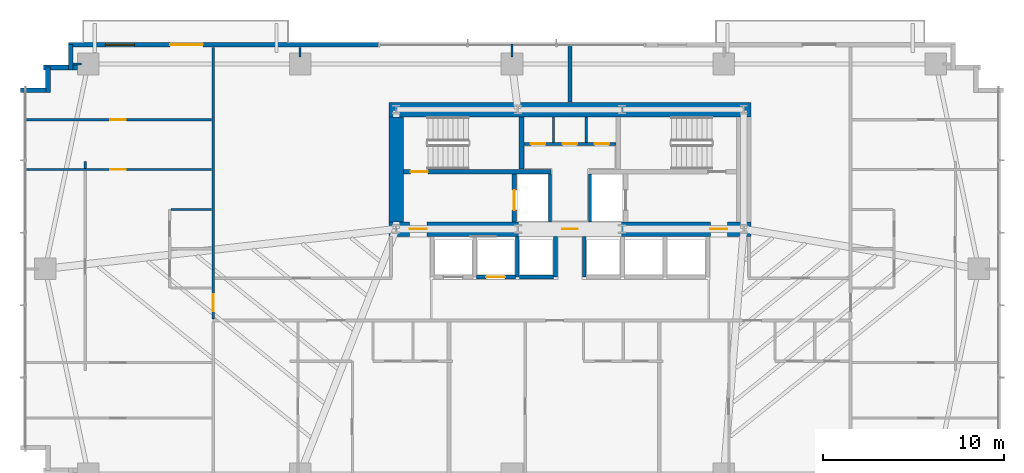
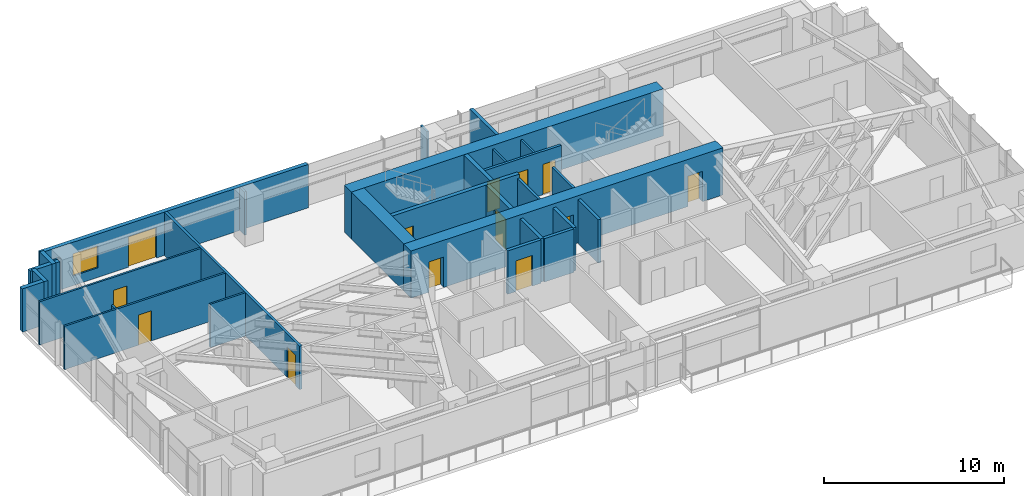
# One storey, part 20 of 25: 30 walls, 13 doors, 1 window, 14 openings.
"""IFC4 building model written with IfcOpenShell, lengths in metres."""

from ifc_helpers import new_model, si_unit, direction, frame, frame_2d, origin, place, context, subcontext, project, spatial, rectangle, extrude, source, transform, mapped, material, layer, layer_set, type_object, type_shapes, element, fill, save


model = new_model("IFC4")

# Units and contexts
model_context = context("Model", 3, precision=1e-05, world=origin(), true_north=direction((0.0, 1.0)))
body_context = subcontext(model_context, "Body", "Model", "MODEL_VIEW")
ifc_project = project(units=[si_unit("LENGTHUNIT", "METRE"), si_unit("AREAUNIT", "SQUARE_METRE"), si_unit("VOLUMEUNIT", "CUBIC_METRE"), si_unit("PLANEANGLEUNIT", "RADIAN"), si_unit("MASSUNIT", "GRAM", prefix="KILO")], contexts=[model_context])

# Site, building, storey
site_placement = place(None, origin())
site = spatial("IfcSite", under=ifc_project, at=site_placement, CompositionType="ELEMENT")
building_placement = place(site_placement, origin())
building = spatial("IfcBuilding", under=site, at=building_placement, Name="Astriad Promenade Condominiums", CompositionType="ELEMENT")
storey_placement = place(building_placement, frame((0.0, 0.0, 55.0)))
storey = spatial("IfcBuildingStorey", under=building, at=storey_placement, Name="L15", CompositionType="ELEMENT", Elevation=55.0)

# Wall, openings, doors
ifc_material_1 = material(Name="Concrete C80/95", Category="concrete")
ifc_layer_1 = layer(ifc_material_1, 0.800048828125)
ifc_layer_set_1 = layer_set([ifc_layer_1], Name="Concrete C80/95")
wall_type_1 = type_object("IfcWallType", Name="CW-SHEAR-800", PredefinedType="SHEAR", material=ifc_layer_set_1)
wall_1_placement = place(storey_placement, frame((26.0, 17.39990234375, 0.0), z_axis=(0.0, 0.0, 1.0), x_axis=(1.0, 0.0, 0.0)))
wall_1 = element("IfcWall", 1, at=wall_1_placement, inside=storey, type_object=wall_type_1, Name="CW-CORE-S-L15", PredefinedType="SHEAR", context=body_context, shape_type="SweptSolid", body=[
    extrude(rectangle(XDim=20.0, YDim=0.800048828125, at=frame_2d((10.0, 0.0))), origin(), (0.0, 0.0, 1.0), 3.199951171875),
])
opening_1_placement = place(wall_1_placement, frame((1.14990234375, 0.0, 0.0)))
opening_1 = element("IfcOpeningElement", 2, at=opening_1_placement, cuts=wall_1, Name="Opening FD90-ST-095", PredefinedType="OPENING", context=body_context, shape_type="SweptSolid", body=[
    extrude(rectangle(XDim=0.949951171875, YDim=2.06005859375, at=frame_2d((0.47509765625, 1.030029296875))), frame((0.0, 0.409912109375, 0.0), z_axis=(0.0, -1.0, 0.0), x_axis=(1.0, 0.0, 0.0)), (0.0, 0.0, 1.0), 0.820068359375),
])
opening_2_placement = place(wall_1_placement, frame((9.580078125, 0.0, 0.0)))
opening_2 = element("IfcOpeningElement", 3, at=opening_2_placement, cuts=wall_1, Name="Opening FD60-ULOW-085", PredefinedType="OPENING", context=body_context, shape_type="SweptSolid", body=[
    extrude(rectangle(XDim=0.85009765625, YDim=2.0, at=frame_2d((0.425048828125, 1.0))), frame((0.0, 0.409912109375, 0.0), z_axis=(0.0, -1.0, 0.0), x_axis=(1.0, 0.0, 0.0)), (0.0, 0.0, 1.0), 0.820068359375),
])
opening_3_placement = place(wall_1_placement, frame((17.75, 0.0, 0.0)))
opening_3 = element("IfcOpeningElement", 4, at=opening_3_placement, cuts=wall_1, Name="Opening FD90-ST-095", PredefinedType="OPENING", context=body_context, shape_type="SweptSolid", body=[
    extrude(rectangle(XDim=0.949951171875, YDim=2.06005859375, at=frame_2d((0.47509765625, 1.030029296875))), frame((0.0, 0.409912109375, 0.0), z_axis=(0.0, -1.0, 0.0), x_axis=(1.0, 0.0, 0.0)), (0.0, 0.0, 1.0), 0.820068359375),
])
ifc_material_2 = material(Name="Fire-Rated Hollow Metal Stair Door")
door_type_1 = type_object("IfcDoorType", Name="FD90-ST-095", OperationType="NOTDEFINED", PredefinedType="DOOR", material=ifc_material_2)
shared_shape_1 = source(origin(), body_context, "Body", "SweptSolid", [
    extrude(rectangle(XDim=0.949951171875, YDim=2.06005859375, at=frame_2d((0.47509765625, 1.030029296875))), frame((0.0, 0.02490234375, 0.0), z_axis=(0.0, -1.0, 0.0), x_axis=(1.0, 0.0, 0.0)), (0.0, 0.0, 1.0), 0.050048828125),
])
type_shapes(door_type_1, [shared_shape_1])
door_1_placement = place(opening_1_placement, origin())
door_1 = element("IfcDoor", 5, at=door_1_placement, inside=storey, type_object=door_type_1, Name="D-FFW-L15", OperationType="SINGLE_SWING_LEFT", OverallHeight=2.06005859375, OverallWidth=0.949951171875, PredefinedType="DOOR", context=body_context, shape_type="MappedRepresentation", body=[
    mapped(shared_shape_1, transform((0.0, 0.0, 0.0), scale=1.0)),
])
fill(opening_1, door_1)
door_2_placement = place(opening_3_placement, origin())
door_2 = element("IfcDoor", 6, at=door_2_placement, inside=storey, type_object=door_type_1, Name="D-FFE-L15", OperationType="SINGLE_SWING_RIGHT", OverallHeight=2.06005859375, OverallWidth=0.949951171875, PredefinedType="DOOR", context=body_context, shape_type="MappedRepresentation", body=[
    mapped(shared_shape_1, transform((0.0, 0.0, 0.0), scale=1.0)),
])
fill(opening_3, door_2)
ifc_material_3 = material(Name="Solid-Core Low-Headroom Fire Door")
door_type_2 = type_object("IfcDoorType", Name="FD60-ULOW-085", OperationType="NOTDEFINED", PredefinedType="DOOR", material=ifc_material_3)
shared_shape_2 = source(origin(), body_context, "Body", "SweptSolid", [
    extrude(rectangle(XDim=0.85009765625, YDim=2.0, at=frame_2d((0.425048828125, 1.0))), frame((0.0, 0.02490234375, 0.0), z_axis=(0.0, -1.0, 0.0), x_axis=(1.0, 0.0, 0.0)), (0.0, 0.0, 1.0), 0.050048828125),
])
type_shapes(door_type_2, [shared_shape_2])
door_3_placement = place(opening_2_placement, origin())
door_3 = element("IfcDoor", 7, at=door_3_placement, inside=storey, type_object=door_type_2, Name="D-CSL-L15", OperationType="SINGLE_SWING_RIGHT", OverallHeight=2.0, OverallWidth=0.85009765625, PredefinedType="DOOR", context=body_context, shape_type="MappedRepresentation", body=[
    mapped(shared_shape_2, transform((0.0, 0.0, 0.0), scale=1.0)),
])
fill(opening_2, door_3)

# Walls
wall_2_placement = place(storey_placement, frame((26.0, 24.0, 0.0), z_axis=(0.0, 0.0, 1.0), x_axis=(1.0, 0.0, 0.0)))
element("IfcWall", 8, at=wall_2_placement, inside=storey, type_object=wall_type_1, Name="CW-CORE-N-L15", PredefinedType="SHEAR", context=body_context, shape_type="SweptSolid", body=[
    extrude(rectangle(XDim=20.0, YDim=0.800048828125, at=frame_2d((10.0, 0.0))), origin(), (0.0, 0.0, 1.0), 3.199951171875),
])
wall_3_placement = place(storey_placement, frame((26.39990234375, 17.802001953125, 0.0), z_axis=(0.0, 0.0, 1.0), x_axis=(0.0, 1.0, 0.0)))
element("IfcWall", 9, at=wall_3_placement, inside=storey, type_object=wall_type_1, Name="CW-CORE-W-L15", PredefinedType="SHEAR", context=body_context, shape_type="SweptSolid", body=[
    extrude(rectangle(XDim=5.7958984375, YDim=0.800048828125, at=frame_2d((2.89794921875, 0.0))), origin(), (0.0, 0.0, 1.0), 3.199951171875),
])

# Wall, opening, door
ifc_material_4 = material(Name="Concrete C50/60", Category="concrete")
ifc_layer_2 = layer(ifc_material_4, 0.25)
ifc_layer_set_2 = layer_set([ifc_layer_2], Name="Concrete C50/60")
wall_type_2 = type_object("IfcWallType", Name="WALL-CORE-INT-250", PredefinedType="SOLIDWALL", material=ifc_layer_set_2)
wall_4_placement = place(storey_placement, frame((26.802001953125, 20.574951171875, 0.0), z_axis=(0.0, 0.0, 1.0), x_axis=(1.0, 0.0, 0.0)))
wall_4 = element("IfcWall", 10, at=wall_4_placement, inside=storey, type_object=wall_type_2, Name="CW-INT-H1-L15", PredefinedType="SOLIDWALL", context=body_context, shape_type="SweptSolid", body=[
    extrude(rectangle(XDim=8.14794921875, YDim=0.25, at=frame_2d((4.073974609375, 0.0))), origin(), (0.0, 0.0, 1.0), 3.199951171875),
])
opening_4_placement = place(wall_4_placement, frame((0.39794921875, 0.0, 0.0)))
opening_4 = element("IfcOpeningElement", 11, at=opening_4_placement, cuts=wall_4, Name="Opening FD90-ST-095", PredefinedType="OPENING", context=body_context, shape_type="SweptSolid", body=[
    extrude(rectangle(XDim=0.949951171875, YDim=2.06005859375, at=frame_2d((0.47509765625, 1.030029296875))), frame((0.0, 0.135009765625, 0.0), z_axis=(0.0, -1.0, 0.0), x_axis=(1.0, 0.0, 0.0)), (0.0, 0.0, 1.0), 0.27001953125),
])
door_4_placement = place(opening_4_placement, origin())
door_4 = element("IfcDoor", 12, at=door_4_placement, inside=storey, type_object=door_type_1, Name="D-ST1-L15", OperationType="SINGLE_SWING_LEFT", OverallHeight=2.06005859375, OverallWidth=0.949951171875, PredefinedType="DOOR", context=body_context, shape_type="MappedRepresentation", body=[
    mapped(shared_shape_1, transform((0.0, 0.0, 0.0), scale=1.0)),
])
fill(opening_4, door_4)

# Wall
wall_5_placement = place(storey_placement, frame((33.324951171875, 20.701904296875, 0.0), z_axis=(0.0, 0.0, 1.0), x_axis=(0.0, 1.0, 0.0)))
element("IfcWall", 13, at=wall_5_placement, inside=storey, type_object=wall_type_2, Name="CW-ST1-E-L15", PredefinedType="SOLIDWALL", context=body_context, shape_type="SweptSolid", body=[
    extrude(rectangle(XDim=2.89599609375, YDim=0.25, at=frame_2d((1.447998046875, 0.0))), origin(), (0.0, 0.0, 1.0), 3.199951171875),
])

# Wall, opening, door
wall_6_placement = place(storey_placement, frame((32.925048828125, 17.802001953125, 0.0), z_axis=(0.0, 0.0, 1.0), x_axis=(0.0, 1.0, 0.0)))
wall_6 = element("IfcWall", 14, at=wall_6_placement, inside=storey, type_object=wall_type_2, Name="CW-FFL1-W-L15", PredefinedType="SOLIDWALL", context=body_context, shape_type="SweptSolid", body=[
    extrude(rectangle(XDim=2.64599609375, YDim=0.25, at=frame_2d((1.322998046875, 0.0))), origin(), (0.0, 0.0, 1.0), 3.199951171875),
])
opening_5_placement = place(wall_6_placement, frame((0.64794921875, 0.0, 0.0)))
opening_5 = element("IfcOpeningElement", 15, at=opening_5_placement, cuts=wall_6, Name="Opening LD-FFL-1122", PredefinedType="OPENING", context=body_context, shape_type="SweptSolid", body=[
    extrude(rectangle(XDim=1.10009765625, YDim=2.080078125, at=frame_2d((0.550048828125, 1.0400390625))), frame((0.0, 0.135009765625, 0.0), z_axis=(0.0, -1.0, 0.0), x_axis=(1.0, 0.0, 0.0)), (0.0, 0.0, 1.0), 0.27001953125),
])
ifc_material_5 = material(Name="Brushed Stainless Steel Fire Elevator Landing Door", Category="steel")
door_type_3 = type_object("IfcDoorType", Name="LD-FFL-1122", OperationType="NOTDEFINED", PredefinedType="DOOR", material=ifc_material_5)
shared_shape_3 = source(origin(), body_context, "Body", "SweptSolid", [
    extrude(rectangle(XDim=1.10009765625, YDim=2.080078125, at=frame_2d((0.550048828125, 1.0400390625))), frame((0.0, 0.02490234375, 0.0), z_axis=(0.0, -1.0, 0.0), x_axis=(1.0, 0.0, 0.0)), (0.0, 0.0, 1.0), 0.050048828125),
])
type_shapes(door_type_3, [shared_shape_3])
door_5_placement = place(opening_5_placement, origin())
door_5 = element("IfcDoor", 16, at=door_5_placement, inside=storey, type_object=door_type_3, Name="Elevator Landing Door FFL-1 (L15)", OperationType="SLIDING_TO_LEFT", OverallHeight=2.080078125, OverallWidth=1.10009765625, PredefinedType="DOOR", context=body_context, shape_type="MappedRepresentation", body=[
    mapped(shared_shape_3, transform((0.0, 0.0, 0.0), scale=1.0)),
])
fill(opening_5, door_5)

# Walls
ifc_material_6 = material(Name="Fire-Rated Gypsum Partition")
ifc_layer_3 = layer(ifc_material_6, 0.159912109375)
ifc_layer_set_3 = layer_set([ifc_layer_3], Name="Fire-Rated Gypsum Partition")
wall_type_3 = type_object("IfcWallType", Name="WALL-CORR-160", PredefinedType="PARTITIONING", material=ifc_layer_set_3)
for number, where, z_axis, x_axis, name in (
    (17, (34.89990234375, 17.802001953125, 0.0), (0.0, 0.0, 1.0), (0.0, 1.0, 0.0), "CW-FFL1-E-L15"),
    (18, (37.10009765625, 17.802001953125, 0.0), (0.0, 0.0, 1.0), (0.0, 1.0, 0.0), "CW-FFL2-W-L15"),
):
    element("IfcWall", number, at=place(storey_placement, frame(where, z_axis=z_axis, x_axis=x_axis)), inside=storey, type_object=wall_type_3, Name=name, PredefinedType="PARTITIONING", context=body_context, shape_type="SweptSolid", body=[
        extrude(rectangle(XDim=2.64599609375, YDim=0.159912109375, at=frame_2d((1.322998046875, 0.0))), origin(), (0.0, 0.0, 1.0), 2.93994140625),
    ])

# Wall, openings, doors
wall_7_placement = place(storey_placement, frame((33.451904296875, 22.10009765625, 0.0), z_axis=(0.0, 0.0, 1.0), x_axis=(1.0, 0.0, 0.0)))
wall_7 = element("IfcWall", 19, at=wall_7_placement, inside=storey, type_object=wall_type_3, Name="CW-AUX-N-L15", PredefinedType="PARTITIONING", context=body_context, shape_type="SweptSolid", body=[
    extrude(rectangle(XDim=5.09619140625, YDim=0.159912109375, at=frame_2d((2.548095703125, 0.0))), origin(), (0.0, 0.0, 1.0), 2.93994140625),
])
opening_6_placement = place(wall_7_placement, frame((0.387939453125, 0.0, 0.0)))
opening_6 = element("IfcOpeningElement", 20, at=opening_6_placement, cuts=wall_7, Name="Opening FD60-SV-080", PredefinedType="OPENING", context=body_context, shape_type="SweptSolid", body=[
    extrude(rectangle(XDim=0.800048828125, YDim=2.050048828125, at=frame_2d((0.39990234375, 1.02490234375))), frame((0.0, 0.08984375, 0.0), z_axis=(0.0, -1.0, 0.0), x_axis=(1.0, 0.0, 0.0)), (0.0, 0.0, 1.0), 0.179931640625),
])
opening_7_placement = place(wall_7_placement, frame((2.14794921875, 0.0, 0.0)))
opening_7 = element("IfcOpeningElement", 21, at=opening_7_placement, cuts=wall_7, Name="Opening FD60-SV-080", PredefinedType="OPENING", context=body_context, shape_type="SweptSolid", body=[
    extrude(rectangle(XDim=0.800048828125, YDim=2.050048828125, at=frame_2d((0.39990234375, 1.02490234375))), frame((0.0, 0.08984375, 0.0), z_axis=(0.0, -1.0, 0.0), x_axis=(1.0, 0.0, 0.0)), (0.0, 0.0, 1.0), 0.179931640625),
])
opening_8_placement = place(wall_7_placement, frame((3.907958984375, 0.0, 0.0)))
opening_8 = element("IfcOpeningElement", 22, at=opening_8_placement, cuts=wall_7, Name="Opening FD60-SV-080", PredefinedType="OPENING", context=body_context, shape_type="SweptSolid", body=[
    extrude(rectangle(XDim=0.800048828125, YDim=2.050048828125, at=frame_2d((0.39990234375, 1.02490234375))), frame((0.0, 0.08984375, 0.0), z_axis=(0.0, -1.0, 0.0), x_axis=(1.0, 0.0, 0.0)), (0.0, 0.0, 1.0), 0.179931640625),
])
ifc_material_7 = material(Name="Fire-Rated Riser Closet Door")
door_type_4 = type_object("IfcDoorType", Name="FD60-SV-080", OperationType="NOTDEFINED", PredefinedType="DOOR", material=ifc_material_7)
shared_shape_4 = source(origin(), body_context, "Body", "SweptSolid", [
    extrude(rectangle(XDim=0.800048828125, YDim=2.050048828125, at=frame_2d((0.39990234375, 1.02490234375))), frame((0.0, 0.02490234375, 0.0), z_axis=(0.0, -1.0, 0.0), x_axis=(1.0, 0.0, 0.0)), (0.0, 0.0, 1.0), 0.050048828125),
])
type_shapes(door_type_4, [shared_shape_4])
door_6_placement = place(opening_6_placement, origin())
door_6 = element("IfcDoor", 23, at=door_6_placement, inside=storey, type_object=door_type_4, Name="D-AUX1-L15", OperationType="SINGLE_SWING_LEFT", OverallHeight=2.050048828125, OverallWidth=0.800048828125, PredefinedType="DOOR", context=body_context, shape_type="MappedRepresentation", body=[
    mapped(shared_shape_4, transform((0.0, 0.0, 0.0), scale=1.0)),
])
fill(opening_6, door_6)
door_7_placement = place(opening_7_placement, origin())
door_7 = element("IfcDoor", 24, at=door_7_placement, inside=storey, type_object=door_type_4, Name="D-AUX2-L15", OperationType="SINGLE_SWING_RIGHT", OverallHeight=2.050048828125, OverallWidth=0.800048828125, PredefinedType="DOOR", context=body_context, shape_type="MappedRepresentation", body=[
    mapped(shared_shape_4, transform((0.0, 0.0, 0.0), scale=1.0)),
])
fill(opening_7, door_7)
door_8_placement = place(opening_8_placement, origin())
door_8 = element("IfcDoor", 25, at=door_8_placement, inside=storey, type_object=door_type_4, Name="D-AUX3-L15", OperationType="SINGLE_SWING_LEFT", OverallHeight=2.050048828125, OverallWidth=0.800048828125, PredefinedType="DOOR", context=body_context, shape_type="MappedRepresentation", body=[
    mapped(shared_shape_4, transform((0.0, 0.0, 0.0), scale=1.0)),
])
fill(opening_8, door_8)

# Wall, opening, door
wall_8_placement = place(storey_placement, frame((16.300048828125, 12.431884765625, 0.0), z_axis=(0.0, 0.0, 1.0), x_axis=(0.0, 1.0, 0.0)))
wall_8 = element("IfcWall", 26, at=wall_8_placement, inside=storey, type_object=wall_type_3, Name="PT-COR-W-L15-S2", PredefinedType="PARTITIONING", context=body_context, shape_type="SweptSolid", body=[
    extrude(rectangle(XDim=15.006103515625, YDim=0.159912109375, at=frame_2d((7.5029296875, 0.0))), origin(), (0.0, 0.0, 1.0), 2.93994140625),
])
opening_9_placement = place(wall_8_placement, frame((0.428955078125, 0.0, 0.0)))
opening_9 = element("IfcOpeningElement", 27, at=opening_9_placement, cuts=wall_8, Name="Opening FD60-APT-095", PredefinedType="OPENING", context=body_context, shape_type="SweptSolid", body=[
    extrude(rectangle(XDim=0.949951171875, YDim=2.06005859375, at=frame_2d((0.47509765625, 1.030029296875))), frame((0.0, 0.08984375, 0.0), z_axis=(0.0, -1.0, 0.0), x_axis=(1.0, 0.0, 0.0)), (0.0, 0.0, 1.0), 0.179931640625),
])
ifc_material_8 = material(Name="Solid-Core Acoustic Timber Residence Entry Door", Category="wood")
door_type_5 = type_object("IfcDoorType", Name="FD60-APT-095", OperationType="NOTDEFINED", PredefinedType="DOOR", material=ifc_material_8)
shared_shape_5 = source(origin(), body_context, "Body", "SweptSolid", [
    extrude(rectangle(XDim=0.949951171875, YDim=2.06005859375, at=frame_2d((0.47509765625, 1.030029296875))), frame((0.0, 0.02490234375, 0.0), z_axis=(0.0, -1.0, 0.0), x_axis=(1.0, 0.0, 0.0)), (0.0, 0.0, 1.0), 0.050048828125),
])
type_shapes(door_type_5, [shared_shape_5])
door_9_placement = place(opening_9_placement, origin())
door_9 = element("IfcDoor", 28, at=door_9_placement, inside=storey, type_object=door_type_5, Name="D-ENT-L15-W1", OperationType="SINGLE_SWING_LEFT", OverallHeight=2.06005859375, OverallWidth=0.949951171875, PredefinedType="DOOR", context=body_context, shape_type="MappedRepresentation", body=[
    mapped(shared_shape_5, transform((0.0, 0.0, 0.0), scale=1.0)),
])
fill(opening_9, door_9)

# Walls
ifc_material_9 = material(Name="Acoustic Double-Stud Gypsum Partition")
ifc_layer_4 = layer(ifc_material_9, 0.199951171875)
ifc_layer_set_4 = layer_set([ifc_layer_4], Name="Acoustic Double-Stud Gypsum Partition")
wall_type_4 = type_object("IfcWallType", Name="WALL-DEMISING-200", PredefinedType="PARTITIONING", material=ifc_layer_set_4)
wall_9_placement = place(storey_placement, frame((36.0, 24.402099609375, 0.0), z_axis=(0.0, 0.0, 1.0), x_axis=(0.0, 1.0, 0.0)))
element("IfcWall", 29, at=wall_9_placement, inside=storey, type_object=wall_type_4, Name="PT-NC-MID-L15", PredefinedType="PARTITIONING", context=body_context, shape_type="SweptSolid", body=[
    extrude(rectangle(XDim=3.218017578125, YDim=0.199951171875, at=frame_2d((1.60888671875, 0.0))), origin(), (0.0, 0.0, 1.0), 2.93994140625),
])
ifc_material_10 = material(Name="Precast concrete C50/60", Category="concrete")
ifc_layer_5 = layer(ifc_material_10, 0.260009765625)
ifc_layer_set_5 = layer_set([ifc_layer_5], Name="Precast concrete C50/60")
wall_type_5 = type_object("IfcWallType", Name="WALL-EXT-TWR-260", PredefinedType="STANDARD", material=ifc_layer_set_5)
for number, where, z_axis, x_axis, name in (
    (30, (5.669921875, 25.070068359375, 0.0), (0.0, 0.0, 1.0), (1.0, 0.0, 0.0), "W-SER-L15-04"),
    (31, (7.179931640625, 24.93994140625, 0.0), (0.0, 0.0, 1.0), (0.0, 1.0, 0.0), "W-SER-L15-05"),
):
    element("IfcWall", number, at=place(storey_placement, frame(where, z_axis=z_axis, x_axis=x_axis)), inside=storey, type_object=wall_type_5, Name=name, PredefinedType="STANDARD", context=body_context, shape_type="SweptSolid", body=[
        extrude(rectangle(XDim=1.39501953125, YDim=0.260009765625, at=frame_2d((0.697509765625, 0.0))), origin(), (0.0, 0.0, 1.0), 2.93994140625),
    ])
wall_10_placement = place(storey_placement, frame((6.919921875, 26.320068359375, 0.0), z_axis=(0.0, 0.0, 1.0), x_axis=(1.0, 0.0, 0.0)))
element("IfcWall", 32, at=wall_10_placement, inside=storey, type_object=wall_type_5, Name="W-SER-L15-06", PredefinedType="STANDARD", context=body_context, shape_type="SweptSolid", body=[
    extrude(rectangle(XDim=1.878173828125, YDim=0.260009765625, at=frame_2d((0.93896484375, 0.0))), origin(), (0.0, 0.0, 1.0), 2.93994140625),
])
wall_11_placement = place(storey_placement, frame((8.429931640625, 26.18994140625, 0.0), z_axis=(0.0, 0.0, 1.0), x_axis=(0.0, 1.0, 0.0)))
element("IfcWall", 33, at=wall_11_placement, inside=storey, type_object=wall_type_5, Name="W-SER-L15-07", PredefinedType="STANDARD", context=body_context, shape_type="SweptSolid", body=[
    extrude(rectangle(XDim=1.39501953125, YDim=0.260009765625, at=frame_2d((0.697509765625, 0.0))), origin(), (0.0, 0.0, 1.0), 2.93994140625),
])

# Wall, openings, door, window
wall_12_placement = place(storey_placement, frame((8.300048828125, 27.570068359375, 0.0), z_axis=(0.0, 0.0, 1.0), x_axis=(1.0, 0.0, 0.0)))
wall_12 = element("IfcWall", 34, at=wall_12_placement, inside=storey, type_object=wall_type_5, Name="W-EXT-L15-N1", PredefinedType="STANDARD", context=body_context, shape_type="SweptSolid", body=[
    extrude(rectangle(XDim=17.14990234375, YDim=0.260009765625, at=frame_2d((8.574951171875, 0.0))), origin(), (0.0, 0.0, 1.0), 2.93994140625),
])
opening_10_placement = place(wall_12_placement, frame((5.6259765625, 0.0, 0.0)))
opening_10 = element("IfcOpeningElement", 35, at=opening_10_placement, cuts=wall_12, Name="Opening BD-1822-SLD", PredefinedType="OPENING", context=body_context, shape_type="SweptSolid", body=[
    extrude(rectangle(XDim=1.800048828125, YDim=2.06005859375, at=frame_2d((0.89990234375, 1.030029296875))), frame((0.0, 0.139892578125, 0.0), z_axis=(0.0, -1.0, 0.0), x_axis=(1.0, 0.0, 0.0)), (0.0, 0.0, 1.0), 0.280029296875),
])
opening_11_placement = place(wall_12_placement, frame((2.050048828125, 0.0, 0.64990234375)))
opening_11 = element("IfcOpeningElement", 36, at=opening_11_placement, cuts=wall_12, Name="Opening WIN-TWR-1620", PredefinedType="OPENING", context=body_context, shape_type="SweptSolid", body=[
    extrude(rectangle(XDim=1.60009765625, YDim=1.5, at=frame_2d((0.800048828125, 0.75))), frame((0.0, 0.139892578125, 0.0), z_axis=(0.0, -1.0, 0.0), x_axis=(1.0, 0.0, 0.0)), (0.0, 0.0, 1.0), 0.280029296875),
])
ifc_material_11 = material(Name="Thermally Broken Aluminium Sliding Balcony Door", Category="aluminium")
door_type_6 = type_object("IfcDoorType", Name="BD-1822-SLD", OperationType="NOTDEFINED", PredefinedType="DOOR", material=ifc_material_11)
shared_shape_6 = source(origin(), body_context, "Body", "SweptSolid", [
    extrude(rectangle(XDim=1.800048828125, YDim=2.06005859375, at=frame_2d((0.89990234375, 1.030029296875))), frame((0.0, 0.02490234375, 0.0), z_axis=(0.0, -1.0, 0.0), x_axis=(1.0, 0.0, 0.0)), (0.0, 0.0, 1.0), 0.050048828125),
])
type_shapes(door_type_6, [shared_shape_6])
door_10_placement = place(opening_10_placement, origin())
door_10 = element("IfcDoor", 37, at=door_10_placement, inside=storey, type_object=door_type_6, Name="BD-L15-NW", OperationType="SLIDING_TO_LEFT", OverallHeight=2.06005859375, OverallWidth=1.800048828125, PredefinedType="DOOR", context=body_context, shape_type="MappedRepresentation", body=[
    mapped(shared_shape_6, transform((0.0, 0.0, 0.0), scale=1.0)),
])
fill(opening_10, door_10)
ifc_material_12 = material(Name="Dark Tinted Triple-Glazed Aluminium Window", Category="aluminium")
window_type = type_object("IfcWindowType", Name="WIN-TWR-1620", PartitioningType="SINGLE_PANEL", PredefinedType="WINDOW", material=ifc_material_12)
shared_shape_7 = source(origin(), body_context, "Body", "SweptSolid", [
    extrude(rectangle(XDim=1.60009765625, YDim=1.5, at=frame_2d((0.800048828125, 0.75))), frame((0.0, 0.030029296875, 0.0), z_axis=(0.0, -1.0, 0.0), x_axis=(1.0, 0.0, 0.0)), (0.0, 0.0, 1.0), 0.06005859375),
])
type_shapes(window_type, [shared_shape_7])
window_placement = place(opening_11_placement, origin())
window = element("IfcWindow", 38, at=window_placement, inside=storey, type_object=window_type, Name="WIN-L15-NW", OverallHeight=1.5, OverallWidth=1.60009765625, PartitioningType="SINGLE_PANEL", PredefinedType="WINDOW", context=body_context, shape_type="MappedRepresentation", body=[
    mapped(shared_shape_7, transform((0.0, 0.0, 0.0), scale=1.0)),
])
fill(opening_11, window)

# Walls
ifc_material_13 = material(Name="Acoustic Metal-Stud Gypsum Partition")
ifc_layer_6 = layer(ifc_material_13, 0.1201171875)
ifc_layer_set_6 = layer_set([ifc_layer_6], Name="Acoustic Metal-Stud Gypsum Partition")
wall_type_6 = type_object("IfcWallType", Name="WALL-PART-120", PredefinedType="PARTITIONING", material=ifc_layer_set_6)
for number, where, z_axis, x_axis, name in (
    (39, (35.10009765625, 22.181884765625, 0.0), (0.0, 0.0, 1.0), (0.0, 1.0, 0.0), "CW-AUX-V1-L15"),
    (40, (36.89990234375, 22.181884765625, 0.0), (0.0, 0.0, 1.0), (0.0, 1.0, 0.0), "CW-AUX-V2-L15"),
):
    element("IfcWall", number, at=place(storey_placement, frame(where, z_axis=z_axis, x_axis=x_axis)), inside=storey, type_object=wall_type_6, Name=name, PredefinedType="PARTITIONING", context=body_context, shape_type="SweptSolid", body=[
        extrude(rectangle(XDim=1.416015625, YDim=0.1201171875, at=frame_2d((0.7080078125, 0.0))), origin(), (0.0, 0.0, 1.0), 2.93994140625),
    ])
wall_13_placement = place(storey_placement, frame((13.9619140625, 18.486083984375, 0.0), z_axis=(0.0, 0.0, 1.0), x_axis=(1.0, 0.0, 0.0)))
element("IfcWall", 41, at=wall_13_placement, inside=storey, type_object=wall_type_6, Name="PT-L15-W1-PN", PredefinedType="PARTITIONING", context=body_context, shape_type="SweptSolid", body=[
    extrude(rectangle(XDim=2.256103515625, YDim=0.1201171875, at=frame_2d((1.1279296875, 0.0))), origin(), (0.0, 0.0, 1.0), 2.93994140625),
])

# Wall, opening, door
wall_14_placement = place(storey_placement, frame((5.8798828125, 23.43994140625, 0.0), z_axis=(0.0, 0.0, 1.0), x_axis=(1.0, 0.0, 0.0)))
wall_14 = element("IfcWall", 42, at=wall_14_placement, inside=storey, type_object=wall_type_6, Name="PT-L15-W1-WDN2", PredefinedType="PARTITIONING", context=body_context, shape_type="SweptSolid", body=[
    extrude(rectangle(XDim=10.338134765625, YDim=0.1201171875, at=frame_2d((5.1689453125, 0.0))), origin(), (0.0, 0.0, 1.0), 2.93994140625),
])
opening_12_placement = place(wall_14_placement, frame((4.735107421875, 0.0, 0.0)))
opening_12 = element("IfcOpeningElement", 43, at=opening_12_placement, cuts=wall_14, Name="Opening D-INT-085", PredefinedType="OPENING", context=body_context, shape_type="SweptSolid", body=[
    extrude(rectangle(XDim=0.85009765625, YDim=2.050048828125, at=frame_2d((0.425048828125, 1.02490234375))), frame((0.0, 0.070068359375, 0.0), z_axis=(0.0, -1.0, 0.0), x_axis=(1.0, 0.0, 0.0)), (0.0, 0.0, 1.0), 0.14013671875),
])
ifc_material_14 = material(Name="Painted Solid-Core Timber Room Door", Category="wood")
door_type_7 = type_object("IfcDoorType", Name="D-INT-085", OperationType="NOTDEFINED", PredefinedType="DOOR", material=ifc_material_14)
shared_shape_8 = source(origin(), body_context, "Body", "SweptSolid", [
    extrude(rectangle(XDim=0.85009765625, YDim=2.050048828125, at=frame_2d((0.425048828125, 1.02490234375))), frame((0.0, 0.02490234375, 0.0), z_axis=(0.0, -1.0, 0.0), x_axis=(1.0, 0.0, 0.0)), (0.0, 0.0, 1.0), 0.050048828125),
])
type_shapes(door_type_7, [shared_shape_8])
door_11_placement = place(opening_12_placement, origin())
door_11 = element("IfcDoor", 44, at=door_11_placement, inside=storey, type_object=door_type_7, Name="D-WDN2-L15-W1", OperationType="SINGLE_SWING_LEFT", OverallHeight=2.050048828125, OverallWidth=0.85009765625, PredefinedType="DOOR", context=body_context, shape_type="MappedRepresentation", body=[
    mapped(shared_shape_8, transform((0.0, 0.0, 0.0), scale=1.0)),
])
fill(opening_12, door_11)

wall_15_placement = place(storey_placement, frame((5.8798828125, 20.68798828125, 0.0), z_axis=(0.0, 0.0, 1.0), x_axis=(1.0, 0.0, 0.0)))
wall_15 = element("IfcWall", 45, at=wall_15_placement, inside=storey, type_object=wall_type_6, Name="PT-L15-W1-WDN4", PredefinedType="PARTITIONING", context=body_context, shape_type="SweptSolid", body=[
    extrude(rectangle(XDim=10.338134765625, YDim=0.1201171875, at=frame_2d((5.1689453125, 0.0))), origin(), (0.0, 0.0, 1.0), 2.93994140625),
])
opening_13_placement = place(wall_15_placement, frame((4.735107421875, 0.0, 0.0)))
opening_13 = element("IfcOpeningElement", 46, at=opening_13_placement, cuts=wall_15, Name="Opening D-INT-085", PredefinedType="OPENING", context=body_context, shape_type="SweptSolid", body=[
    extrude(rectangle(XDim=0.85009765625, YDim=2.050048828125, at=frame_2d((0.425048828125, 1.02490234375))), frame((0.0, 0.070068359375, 0.0), z_axis=(0.0, -1.0, 0.0), x_axis=(1.0, 0.0, 0.0)), (0.0, 0.0, 1.0), 0.14013671875),
])
door_12_placement = place(opening_13_placement, origin())
door_12 = element("IfcDoor", 47, at=door_12_placement, inside=storey, type_object=door_type_7, Name="D-WDN4-L15-W1", OperationType="SINGLE_SWING_LEFT", OverallHeight=2.050048828125, OverallWidth=0.85009765625, PredefinedType="DOOR", context=body_context, shape_type="MappedRepresentation", body=[
    mapped(shared_shape_8, transform((0.0, 0.0, 0.0), scale=1.0)),
])
fill(opening_13, door_12)

# Walls
wall_16_placement = place(storey_placement, frame((9.237060546875, 20.75, 0.0), z_axis=(0.0, 0.0, 1.0), x_axis=(0.0, 1.0, 0.0)))
element("IfcWall", 48, at=wall_16_placement, inside=storey, type_object=wall_type_6, Name="PT-L15-W1-WDV5-S3", PredefinedType="PARTITIONING", context=body_context, shape_type="SweptSolid", body=[
    extrude(rectangle(XDim=0.3779296875, YDim=0.1201171875, at=frame_2d((0.18896484375, 0.0))), origin(), (0.0, 0.0, 1.0), 2.93994140625),
])
wall_17_placement = place(storey_placement, frame((9.02001953125, 26.52001953125, 0.0), z_axis=(0.0, 0.0, 1.0), x_axis=(-1.0, 0.0, 0.0)))
element("IfcWall", 49, at=wall_17_placement, inside=storey, type_object=wall_type_6, Name="PT-PIL-L15-PC06-13", PredefinedType="PARTITIONING", context=body_context, shape_type="SweptSolid", body=[
    extrude(rectangle(XDim=0.4580078125, YDim=0.1201171875, at=frame_2d((0.22900390625, 0.0))), origin(), (0.0, 0.0, 1.0), 2.93994140625),
])
wall_18_placement = place(storey_placement, frame((21.10009765625, 26.89990234375, 0.0), z_axis=(0.0, 0.0, 1.0), x_axis=(0.0, 1.0, 0.0)))
element("IfcWall", 50, at=wall_18_placement, inside=storey, type_object=wall_type_6, Name="PT-PIL-L15-PC07-14", PredefinedType="PARTITIONING", context=body_context, shape_type="SweptSolid", body=[
    extrude(rectangle(XDim=0.5380859375, YDim=0.1201171875, at=frame_2d((0.26904296875, 0.0))), origin(), (0.0, 0.0, 1.0), 2.93994140625),
])
wall_19_placement = place(storey_placement, frame((32.800048828125, 26.89990234375, 0.0), z_axis=(0.0, 0.0, 1.0), x_axis=(0.0, 1.0, 0.0)))
element("IfcWall", 51, at=wall_19_placement, inside=storey, type_object=wall_type_6, Name="PT-PIL-L15-PC08-15", PredefinedType="PARTITIONING", context=body_context, shape_type="SweptSolid", body=[
    extrude(rectangle(XDim=0.72021484375, YDim=0.1201171875, at=frame_2d((0.360107421875, 0.0))), origin(), (0.0, 0.0, 1.0), 2.93994140625),
])
ifc_material_15 = material(Name="Gypsum Shaftliner Assembly")
ifc_layer_7 = layer(ifc_material_15, 0.199951171875)
ifc_layer_set_7 = layer_set([ifc_layer_7], Name="Gypsum Shaftliner Assembly")
wall_type_7 = type_object("IfcWallType", Name="WALL-SHAFT-200", PredefinedType="PARTITIONING", material=ifc_layer_set_7)
wall_20_placement = place(storey_placement, frame((33.10009765625, 14.75, 0.0), z_axis=(0.0, 0.0, 1.0), x_axis=(0.0, 1.0, 0.0)))
element("IfcWall", 52, at=wall_20_placement, inside=storey, type_object=wall_type_7, Name="PL-LM-DIV-L15", PredefinedType="PARTITIONING", context=body_context, shape_type="SweptSolid", body=[
    extrude(rectangle(XDim=2.248046875, YDim=0.199951171875, at=frame_2d((1.1240234375, 0.0))), origin(), (0.0, 0.0, 1.0), 2.93994140625),
])

# Wall, opening, door
wall_21_placement = place(storey_placement, frame((30.85205078125, 14.75, 0.0), z_axis=(0.0, 0.0, 1.0), x_axis=(1.0, 0.0, 0.0)))
wall_21 = element("IfcWall", 53, at=wall_21_placement, inside=storey, type_object=wall_type_7, Name="PL-L-FRT-L15-S2", PredefinedType="PARTITIONING", context=body_context, shape_type="SweptSolid", body=[
    extrude(rectangle(XDim=2.14599609375, YDim=0.199951171875, at=frame_2d((1.072998046875, 0.0))), origin(), (0.0, 0.0, 1.0), 2.93994140625),
])
opening_14_placement = place(wall_21_placement, frame((0.52294921875, 0.0, 0.0)))
opening_14 = element("IfcOpeningElement", 54, at=opening_14_placement, cuts=wall_21, Name="Opening LD-PL-10522", PredefinedType="OPENING", context=body_context, shape_type="SweptSolid", body=[
    extrude(rectangle(XDim=1.050048828125, YDim=2.080078125, at=frame_2d((0.52490234375, 1.0400390625))), frame((0.0, 0.10986328125, 0.0), z_axis=(0.0, -1.0, 0.0), x_axis=(1.0, 0.0, 0.0)), (0.0, 0.0, 1.0), 0.219970703125),
])
ifc_material_16 = material(Name="Brushed Bronze Passenger Elevator Landing Door")
door_type_8 = type_object("IfcDoorType", Name="LD-PL-10522", OperationType="NOTDEFINED", PredefinedType="DOOR", material=ifc_material_16)
shared_shape_9 = source(origin(), body_context, "Body", "SweptSolid", [
    extrude(rectangle(XDim=1.050048828125, YDim=2.080078125, at=frame_2d((0.52490234375, 1.0400390625))), frame((0.0, 0.02490234375, 0.0), z_axis=(0.0, -1.0, 0.0), x_axis=(1.0, 0.0, 0.0)), (0.0, 0.0, 1.0), 0.050048828125),
])
type_shapes(door_type_8, [shared_shape_9])
door_13_placement = place(opening_14_placement, origin())
door_13 = element("IfcDoor", 55, at=door_13_placement, inside=storey, type_object=door_type_8, Name="Elevator Landing Door PL-L2 (L15)", OperationType="SLIDING_TO_RIGHT", OverallHeight=2.080078125, OverallWidth=1.050048828125, PredefinedType="DOOR", context=body_context, shape_type="MappedRepresentation", body=[
    mapped(shared_shape_9, transform((0.0, 0.0, 0.0), scale=1.0)),
])
fill(opening_14, door_13)

# Walls
wall_22_placement = place(storey_placement, frame((35.199951171875, 14.75, 0.0), z_axis=(0.0, 0.0, 1.0), x_axis=(0.0, 1.0, 0.0)))
element("IfcWall", 56, at=wall_22_placement, inside=storey, type_object=wall_type_7, Name="PL-M1-E-L15", PredefinedType="PARTITIONING", context=body_context, shape_type="SweptSolid", body=[
    extrude(rectangle(XDim=2.248046875, YDim=0.199951171875, at=frame_2d((1.1240234375, 0.0))), origin(), (0.0, 0.0, 1.0), 2.93994140625),
])
wall_23_placement = place(storey_placement, frame((33.201904296875, 14.75, 0.0), z_axis=(0.0, 0.0, 1.0), x_axis=(1.0, 0.0, 0.0)))
element("IfcWall", 57, at=wall_23_placement, inside=storey, type_object=wall_type_7, Name="PL-M1-F-L15", PredefinedType="PARTITIONING", context=body_context, shape_type="SweptSolid", body=[
    extrude(rectangle(XDim=1.89599609375, YDim=0.199951171875, at=frame_2d((0.947998046875, 0.0))), origin(), (0.0, 0.0, 1.0), 2.93994140625),
])
wall_24_placement = place(storey_placement, frame((36.800048828125, 14.75, 0.0), z_axis=(0.0, 0.0, 1.0), x_axis=(0.0, 1.0, 0.0)))
element("IfcWall", 58, at=wall_24_placement, inside=storey, type_object=wall_type_7, Name="PL-M2-W-L15", PredefinedType="PARTITIONING", context=body_context, shape_type="SweptSolid", body=[
    extrude(rectangle(XDim=2.248046875, YDim=0.199951171875, at=frame_2d((1.1240234375, 0.0))), origin(), (0.0, 0.0, 1.0), 2.93994140625),
])

save(model, "model.ifc")
